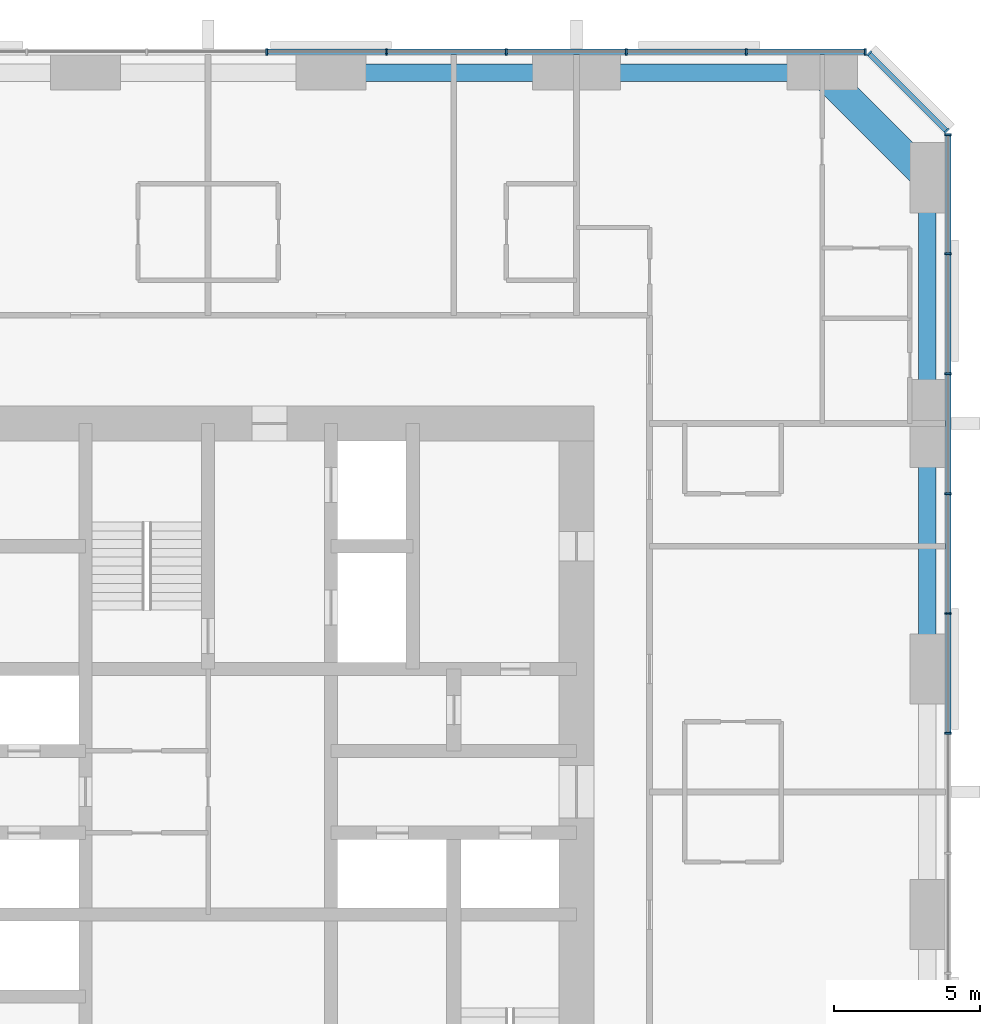
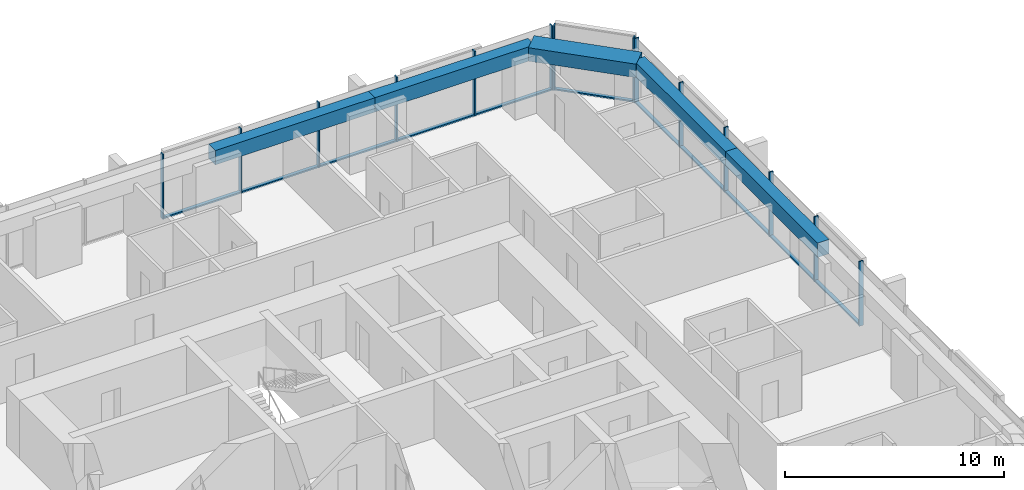
# One storey, part 6 of 13: 25 members, 5 beams, 3 elements without a shape of their own.
"""IFC4 building model written with IfcOpenShell, lengths in metres."""

from ifc_helpers import new_model, si_unit, direction, frame, origin, origin_2d, place, context, subcontext, project, spatial, rectangle, extrude, material, material_profile, profile_set, type_object, element, aggregate, save


model = new_model("IFC4")

# Units and contexts
model_context = context("Model", 3, precision=1e-05, world=origin(), true_north=direction((0.0, 1.0)))
body_context = subcontext(model_context, "Body", "Model", "MODEL_VIEW")
ifc_project = project(units=[si_unit("LENGTHUNIT", "METRE"), si_unit("AREAUNIT", "SQUARE_METRE"), si_unit("VOLUMEUNIT", "CUBIC_METRE"), si_unit("PLANEANGLEUNIT", "RADIAN"), si_unit("MASSUNIT", "GRAM", prefix="KILO")], contexts=[model_context])

# Site, building, storey
site_placement = place(None, origin())
site = spatial("IfcSite", under=ifc_project, at=site_placement, CompositionType="ELEMENT")
building_placement = place(site_placement, origin())
building = spatial("IfcBuilding", under=site, at=building_placement, Name="Dunama Terrace Hotel", CompositionType="ELEMENT")
storey_placement = place(building_placement, frame((0.0, 0.0, 97.199951171875)))
storey = spatial("IfcBuildingStorey", under=building, at=storey_placement, Name="L24", CompositionType="ELEMENT", Elevation=97.199951171875)

# Curtain wall, members
ifc_material_1 = material(Name="Aluminium curtain wall system", Category="aluminium")
curtain_wall_type = type_object("IfcCurtainWallType", Name="Unitised fritted glass wall CW-B", PredefinedType="NOTDEFINED", material=ifc_material_1)
curtain_wall_1_placement = place(storey_placement, origin())
curtain_wall_1 = element("IfcCurtainWall", 1, at=curtain_wall_1_placement, inside=storey, type_object=curtain_wall_type, Name="Unitised fritted glass wall CW-B L24", PredefinedType="NOTDEFINED")
ifc_material_2 = material(Name="Aluminium mullion", Category="aluminium")
ifc_material_profile_1 = material_profile(ifc_material_2, rectangle(XDim=0.06494140625, YDim=0.219970703125, at=origin_2d()), Name="CWB MULLION 65X220")
ifc_profile_set_1 = profile_set([ifc_material_profile_1], Name="Aluminium mullion")
member_type_1 = type_object("IfcMemberType", Name="CWB mullion 65x220", PredefinedType="MULLION", material=ifc_profile_set_1)
member_1_placement = place(storey_placement, frame((54.7099609375, 31.39990234375, 0.0), z_axis=(0.0, 0.0, 1.0), x_axis=(0.0, 1.0, 0.0)))
member_1 = element("IfcMember", 2, at=member_1_placement, type_object=member_type_1, Name="CWB mullion", PredefinedType="MULLION", context=body_context, shape_type="SweptSolid", body=[
    extrude(rectangle(XDim=0.06494140625, YDim=0.219970703125, at=origin_2d()), origin(), (0.0, 0.0, 1.0), 3.60009765625),
])
member_2_placement = place(storey_placement, frame((54.7099609375, 35.5, 0.0), z_axis=(0.0, 0.0, 1.0), x_axis=(0.0, 1.0, 0.0)))
member_2 = element("IfcMember", 3, at=member_2_placement, type_object=member_type_1, Name="CWB mullion", PredefinedType="MULLION", context=body_context, shape_type="SweptSolid", body=[
    extrude(rectangle(XDim=0.06494140625, YDim=0.219970703125, at=origin_2d()), origin(), (0.0, 0.0, 1.0), 3.60009765625),
])
member_3_placement = place(storey_placement, frame((54.7099609375, 39.60009765625, 0.0), z_axis=(0.0, 0.0, 1.0), x_axis=(0.0, 1.0, 0.0)))
member_3 = element("IfcMember", 4, at=member_3_placement, type_object=member_type_1, Name="CWB mullion", PredefinedType="MULLION", context=body_context, shape_type="SweptSolid", body=[
    extrude(rectangle(XDim=0.06494140625, YDim=0.219970703125, at=origin_2d()), origin(), (0.0, 0.0, 1.0), 3.60009765625),
])
member_4_placement = place(storey_placement, frame((54.7099609375, 43.699951171875, 0.0), z_axis=(0.0, 0.0, 1.0), x_axis=(0.0, 1.0, 0.0)))
member_4 = element("IfcMember", 5, at=member_4_placement, type_object=member_type_1, Name="CWB mullion", PredefinedType="MULLION", context=body_context, shape_type="SweptSolid", body=[
    extrude(rectangle(XDim=0.06494140625, YDim=0.219970703125, at=origin_2d()), origin(), (0.0, 0.0, 1.0), 3.60009765625),
])
member_5_placement = place(storey_placement, frame((54.7099609375, 47.800048828125, 0.0), z_axis=(0.0, 0.0, 1.0), x_axis=(0.0, 1.0, 0.0)))
member_5 = element("IfcMember", 6, at=member_5_placement, type_object=member_type_1, Name="CWB mullion", PredefinedType="MULLION", context=body_context, shape_type="SweptSolid", body=[
    extrude(rectangle(XDim=0.06494140625, YDim=0.219970703125, at=origin_2d()), origin(), (0.0, 0.0, 1.0), 3.60009765625),
])
member_6_placement = place(storey_placement, frame((54.7099609375, 51.866943359375, 0.0), z_axis=(0.0, 0.0, 1.0), x_axis=(0.0, 1.0, 0.0)))
member_6 = element("IfcMember", 7, at=member_6_placement, type_object=member_type_1, Name="CWB mullion", PredefinedType="MULLION", context=body_context, shape_type="SweptSolid", body=[
    extrude(rectangle(XDim=0.06494140625, YDim=0.219970703125, at=origin_2d()), origin(), (0.0, 0.0, 1.0), 3.60009765625),
])

curtain_wall_2_placement = place(storey_placement, origin())
curtain_wall_2 = element("IfcCurtainWall", 8, at=curtain_wall_2_placement, inside=storey, type_object=curtain_wall_type, Name="Unitised fritted glass wall CW-B L24", PredefinedType="NOTDEFINED")
member_7_placement = place(storey_placement, frame((54.655029296875, 52.0009765625, 0.0), z_axis=(0.0, 0.0, 1.0), x_axis=(-0.707106781187, 0.707106781187, 0.0)))
member_7 = element("IfcMember", 9, at=member_7_placement, type_object=member_type_1, Name="CWB mullion", PredefinedType="MULLION", context=body_context, shape_type="SweptSolid", body=[
    extrude(rectangle(XDim=0.06494140625, YDim=0.219970703125, at=origin_2d()), origin(), (0.0, 0.0, 1.0), 3.60009765625),
])
member_8_placement = place(storey_placement, frame((52.0009765625, 54.655029296875, 0.0), z_axis=(0.0, 0.0, 1.0), x_axis=(-0.707106781187, 0.707106781187, 0.0)))
member_8 = element("IfcMember", 10, at=member_8_placement, type_object=member_type_1, Name="CWB mullion", PredefinedType="MULLION", context=body_context, shape_type="SweptSolid", body=[
    extrude(rectangle(XDim=0.06494140625, YDim=0.219970703125, at=origin_2d()), origin(), (0.0, 0.0, 1.0), 3.60009765625),
])

curtain_wall_3_placement = place(storey_placement, origin())
curtain_wall_3 = element("IfcCurtainWall", 11, at=curtain_wall_3_placement, inside=storey, type_object=curtain_wall_type, Name="Unitised fritted glass wall CW-B L24", PredefinedType="NOTDEFINED")
member_9_placement = place(storey_placement, frame((51.866943359375, 54.7099609375, 0.0), z_axis=(0.0, 0.0, 1.0), x_axis=(-1.0, 0.0, 0.0)))
member_9 = element("IfcMember", 12, at=member_9_placement, type_object=member_type_1, Name="CWB mullion", PredefinedType="MULLION", context=body_context, shape_type="SweptSolid", body=[
    extrude(rectangle(XDim=0.06494140625, YDim=0.219970703125, at=origin_2d()), origin(), (0.0, 0.0, 1.0), 3.60009765625),
])
member_10_placement = place(storey_placement, frame((47.800048828125, 54.7099609375, 0.0), z_axis=(0.0, 0.0, 1.0), x_axis=(-1.0, 0.0, 0.0)))
member_10 = element("IfcMember", 13, at=member_10_placement, type_object=member_type_1, Name="CWB mullion", PredefinedType="MULLION", context=body_context, shape_type="SweptSolid", body=[
    extrude(rectangle(XDim=0.06494140625, YDim=0.219970703125, at=origin_2d()), origin(), (0.0, 0.0, 1.0), 3.60009765625),
])
member_11_placement = place(storey_placement, frame((43.699951171875, 54.7099609375, 0.0), z_axis=(0.0, 0.0, 1.0), x_axis=(-1.0, 0.0, 0.0)))
member_11 = element("IfcMember", 14, at=member_11_placement, type_object=member_type_1, Name="CWB mullion", PredefinedType="MULLION", context=body_context, shape_type="SweptSolid", body=[
    extrude(rectangle(XDim=0.06494140625, YDim=0.219970703125, at=origin_2d()), origin(), (0.0, 0.0, 1.0), 3.60009765625),
])
member_12_placement = place(storey_placement, frame((39.60009765625, 54.7099609375, 0.0), z_axis=(0.0, 0.0, 1.0), x_axis=(-1.0, 0.0, 0.0)))
member_12 = element("IfcMember", 15, at=member_12_placement, type_object=member_type_1, Name="CWB mullion", PredefinedType="MULLION", context=body_context, shape_type="SweptSolid", body=[
    extrude(rectangle(XDim=0.06494140625, YDim=0.219970703125, at=origin_2d()), origin(), (0.0, 0.0, 1.0), 3.60009765625),
])
member_13_placement = place(storey_placement, frame((35.5, 54.7099609375, 0.0), z_axis=(0.0, 0.0, 1.0), x_axis=(-1.0, 0.0, 0.0)))
member_13 = element("IfcMember", 16, at=member_13_placement, type_object=member_type_1, Name="CWB mullion", PredefinedType="MULLION", context=body_context, shape_type="SweptSolid", body=[
    extrude(rectangle(XDim=0.06494140625, YDim=0.219970703125, at=origin_2d()), origin(), (0.0, 0.0, 1.0), 3.60009765625),
])
member_14_placement = place(storey_placement, frame((31.39990234375, 54.7099609375, 0.0), z_axis=(0.0, 0.0, 1.0), x_axis=(-1.0, 0.0, 0.0)))
member_14 = element("IfcMember", 17, at=member_14_placement, type_object=member_type_1, Name="CWB mullion", PredefinedType="MULLION", context=body_context, shape_type="SweptSolid", body=[
    extrude(rectangle(XDim=0.06494140625, YDim=0.219970703125, at=origin_2d()), origin(), (0.0, 0.0, 1.0), 3.60009765625),
])

# Member
ifc_material_3 = material(Name="Aluminium transom", Category="aluminium")
ifc_material_profile_2 = material_profile(ifc_material_3, rectangle(XDim=0.179931640625, YDim=0.080078125, at=origin_2d()), Name="CWB TRANSOM 180X80")
ifc_profile_set_2 = profile_set([ifc_material_profile_2], Name="Aluminium transom")
member_type_2 = type_object("IfcMemberType", Name="CWB transom 180x80", PredefinedType="USERDEFINED", material=ifc_profile_set_2)
member_15_placement = place(storey_placement, frame((54.7099609375, 31.431884765625, 0.0400390625), z_axis=(0.0, 1.0, 0.0), x_axis=(-1.0, 0.0, 0.0)))
member_15 = element("IfcMember", 18, at=member_15_placement, type_object=member_type_2, Name="CWB transom", ObjectType="TRANSOM", PredefinedType="USERDEFINED", context=body_context, shape_type="SweptSolid", body=[
    extrude(rectangle(XDim=0.179931640625, YDim=0.080078125, at=origin_2d()), origin(), (0.0, 0.0, 1.0), 4.0361328125),
])

member_16_placement = place(storey_placement, frame((54.7099609375, 35.531982421875, 0.0400390625), z_axis=(0.0, 1.0, 0.0), x_axis=(-1.0, 0.0, 0.0)))
member_16 = element("IfcMember", 19, at=member_16_placement, type_object=member_type_2, Name="CWB transom", ObjectType="TRANSOM", PredefinedType="USERDEFINED", context=body_context, shape_type="SweptSolid", body=[
    extrude(rectangle(XDim=0.179931640625, YDim=0.080078125, at=origin_2d()), origin(), (0.0, 0.0, 1.0), 4.0361328125),
])

member_17_placement = place(storey_placement, frame((54.7099609375, 39.633056640625, 0.0400390625), z_axis=(0.0, 1.0, 0.0), x_axis=(-1.0, 0.0, 0.0)))
member_17 = element("IfcMember", 20, at=member_17_placement, type_object=member_type_2, Name="CWB transom", ObjectType="TRANSOM", PredefinedType="USERDEFINED", context=body_context, shape_type="SweptSolid", body=[
    extrude(rectangle(XDim=0.179931640625, YDim=0.080078125, at=origin_2d()), origin(), (0.0, 0.0, 1.0), 4.034912109375),
])

member_18_placement = place(storey_placement, frame((54.7099609375, 43.73291015625, 0.0400390625), z_axis=(0.0, 1.0, 0.0), x_axis=(-1.0, 0.0, 0.0)))
member_18 = element("IfcMember", 21, at=member_18_placement, type_object=member_type_2, Name="CWB transom", ObjectType="TRANSOM", PredefinedType="USERDEFINED", context=body_context, shape_type="SweptSolid", body=[
    extrude(rectangle(XDim=0.179931640625, YDim=0.080078125, at=origin_2d()), origin(), (0.0, 0.0, 1.0), 4.0341796875),
])

member_19_placement = place(storey_placement, frame((54.7099609375, 47.83203125, 0.0400390625), z_axis=(0.0, 1.0, 0.0), x_axis=(-1.0, 0.0, 0.0)))
member_19 = element("IfcMember", 22, at=member_19_placement, type_object=member_type_2, Name="CWB transom", ObjectType="TRANSOM", PredefinedType="USERDEFINED", context=body_context, shape_type="SweptSolid", body=[
    extrude(rectangle(XDim=0.179931640625, YDim=0.080078125, at=origin_2d()), origin(), (0.0, 0.0, 1.0), 4.0029296875),
])

aggregate(curtain_wall_1, [member_1, member_2, member_3, member_4, member_5, member_6, member_15, member_16, member_17, member_18, member_19])

member_20_placement = place(storey_placement, frame((54.632080078125, 52.02392578125, 0.0400390625), z_axis=(-0.707106781187, 0.707106781187, 0.0), x_axis=(-0.707106781187, -0.707106781187, 0.0)))
member_20 = element("IfcMember", 23, at=member_20_placement, type_object=member_type_2, Name="CWB transom", ObjectType="TRANSOM", PredefinedType="USERDEFINED", context=body_context, shape_type="SweptSolid", body=[
    extrude(rectangle(XDim=0.179931640625, YDim=0.080078125, at=origin_2d()), origin(), (0.0, 0.0, 1.0), 3.6884765625),
])

aggregate(curtain_wall_2, [member_7, member_8, member_20])

member_21_placement = place(storey_placement, frame((51.8349609375, 54.7099609375, 0.0400390625), z_axis=(-1.0, 0.0, 0.0), x_axis=(0.0, -1.0, 0.0)))
member_21 = element("IfcMember", 24, at=member_21_placement, type_object=member_type_2, Name="CWB transom", ObjectType="TRANSOM", PredefinedType="USERDEFINED", context=body_context, shape_type="SweptSolid", body=[
    extrude(rectangle(XDim=0.179931640625, YDim=0.080078125, at=origin_2d()), origin(), (0.0, 0.0, 1.0), 4.0029296875),
])

member_22_placement = place(storey_placement, frame((47.76708984375, 54.7099609375, 0.0400390625), z_axis=(-1.0, 0.0, 0.0), x_axis=(0.0, -1.0, 0.0)))
member_22 = element("IfcMember", 25, at=member_22_placement, type_object=member_type_2, Name="CWB transom", ObjectType="TRANSOM", PredefinedType="USERDEFINED", context=body_context, shape_type="SweptSolid", body=[
    extrude(rectangle(XDim=0.179931640625, YDim=0.080078125, at=origin_2d()), origin(), (0.0, 0.0, 1.0), 4.0341796875),
])

member_23_placement = place(storey_placement, frame((43.6669921875, 54.7099609375, 0.0400390625), z_axis=(-1.0, 0.0, 0.0), x_axis=(0.0, -1.0, 0.0)))
member_23 = element("IfcMember", 26, at=member_23_placement, type_object=member_type_2, Name="CWB transom", ObjectType="TRANSOM", PredefinedType="USERDEFINED", context=body_context, shape_type="SweptSolid", body=[
    extrude(rectangle(XDim=0.179931640625, YDim=0.080078125, at=origin_2d()), origin(), (0.0, 0.0, 1.0), 4.033935546875),
])

member_24_placement = place(storey_placement, frame((39.56689453125, 54.7099609375, 0.0400390625), z_axis=(-1.0, 0.0, 0.0), x_axis=(0.0, -1.0, 0.0)))
member_24 = element("IfcMember", 27, at=member_24_placement, type_object=member_type_2, Name="CWB transom", ObjectType="TRANSOM", PredefinedType="USERDEFINED", context=body_context, shape_type="SweptSolid", body=[
    extrude(rectangle(XDim=0.179931640625, YDim=0.080078125, at=origin_2d()), origin(), (0.0, 0.0, 1.0), 4.034912109375),
])

member_25_placement = place(storey_placement, frame((35.468017578125, 54.7099609375, 0.0400390625), z_axis=(-1.0, 0.0, 0.0), x_axis=(0.0, -1.0, 0.0)))
member_25 = element("IfcMember", 28, at=member_25_placement, type_object=member_type_2, Name="CWB transom", ObjectType="TRANSOM", PredefinedType="USERDEFINED", context=body_context, shape_type="SweptSolid", body=[
    extrude(rectangle(XDim=0.179931640625, YDim=0.080078125, at=origin_2d()), origin(), (0.0, 0.0, 1.0), 4.0361328125),
])

aggregate(curtain_wall_3, [member_9, member_10, member_11, member_12, member_13, member_14, member_21, member_22, member_23, member_24, member_25])

# Beams
ifc_material_4 = material(Name="Concrete C50/60", Category="concrete")
ifc_material_profile_3 = material_profile(ifc_material_4, rectangle(XDim=1.0, YDim=0.75, at=origin_2d()), Name="RC 1000x750")
ifc_profile_set_3 = profile_set([ifc_material_profile_3], Name="Concrete C50/60")
beam_type_1 = type_object("IfcBeamType", Name="Edge beam RC 1000x750", PredefinedType="SPANDREL", material=ifc_profile_set_3)
beam_placement = place(storey_placement, frame((50.39990234375, 54.0, 3.22509765625), z_axis=(0.707106781187, -0.707106781187, 0.0), x_axis=(0.707106781187, 0.707106781187, 0.0)))
element("IfcBeam", 29, at=beam_placement, inside=storey, type_object=beam_type_1, Name="Corner edge beam under L25", PredefinedType="SPANDREL", context=body_context, shape_type="SweptSolid", body=[
    extrude(rectangle(XDim=1.0, YDim=0.75, at=origin_2d()), origin(), (0.0, 0.0, 1.0), 5.09130859375),
])
ifc_material_5 = material(Name="Concrete C40/50", Category="concrete")
ifc_material_profile_4 = material_profile(ifc_material_5, rectangle(XDim=0.60009765625, YDim=0.800048828125, at=origin_2d()), Name="RC 600x800")
ifc_profile_set_4 = profile_set([ifc_material_profile_4], Name="Concrete C40/50")
beam_type_2 = type_object("IfcBeamType", Name="Edge beam RC 600x800", PredefinedType="SPANDREL", material=ifc_profile_set_4)
for number, where, z_axis, x_axis, name in (
    (30, (54.0, 33.60009765625, 3.199951171875), (0.0, 1.0, 0.0), (-1.0, 0.0, 0.0), "Edge beam under L25"),
    (31, (54.0, 42.0, 3.199951171875), (0.0, 1.0, 0.0), (-1.0, 0.0, 0.0), "Edge beam under L25"),
    (32, (33.60009765625, 54.0, 3.199951171875), (1.0, 0.0, 0.0), (0.0, 1.0, 0.0), "Edge beam under L25"),
    (33, (42.0, 54.0, 3.199951171875), (1.0, 0.0, 0.0), (0.0, 1.0, 0.0), "Edge beam under L25"),
):
    element("IfcBeam", number, at=place(storey_placement, frame(where, z_axis=z_axis, x_axis=x_axis)), inside=storey, type_object=beam_type_2, Name=name, PredefinedType="SPANDREL", context=body_context, shape_type="SweptSolid", body=[
        extrude(rectangle(XDim=0.60009765625, YDim=0.800048828125, at=origin_2d()), origin(), (0.0, 0.0, 1.0), 8.39990234375),
    ])

save(model, "model.ifc")
